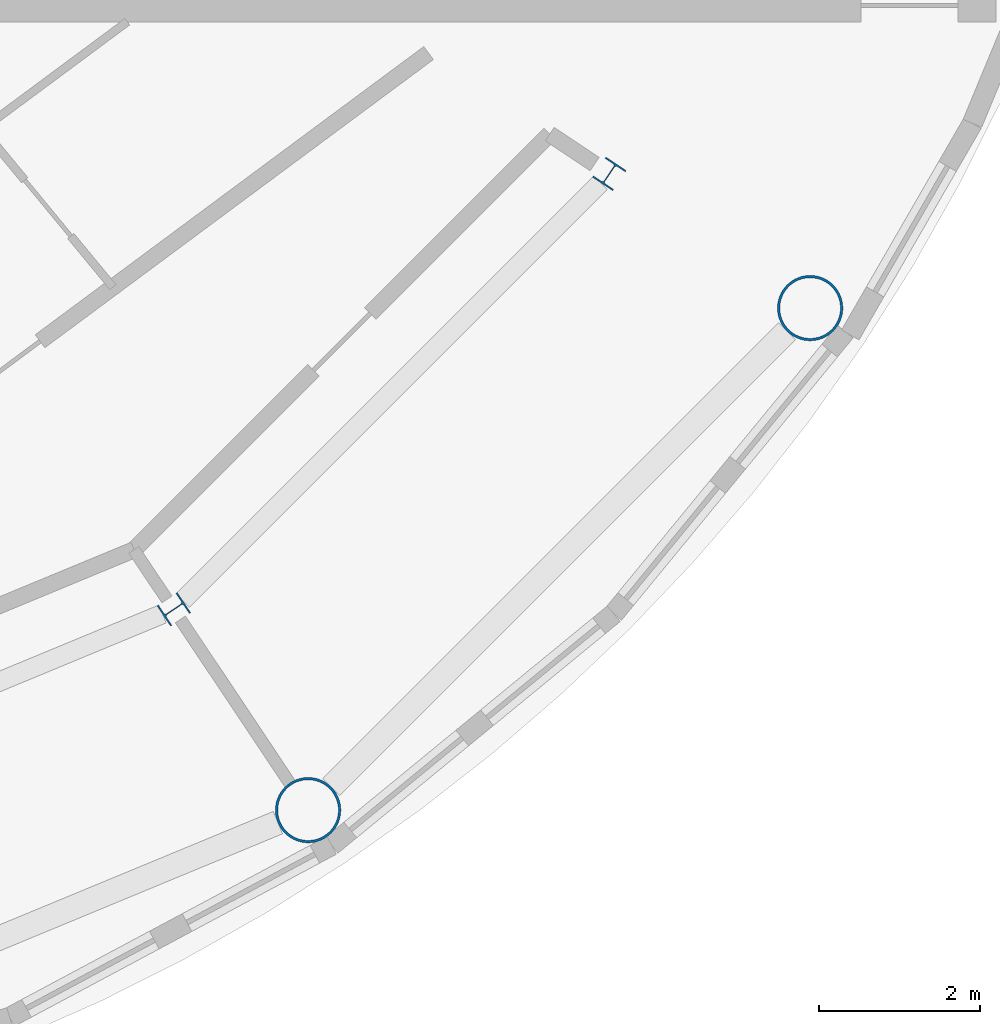
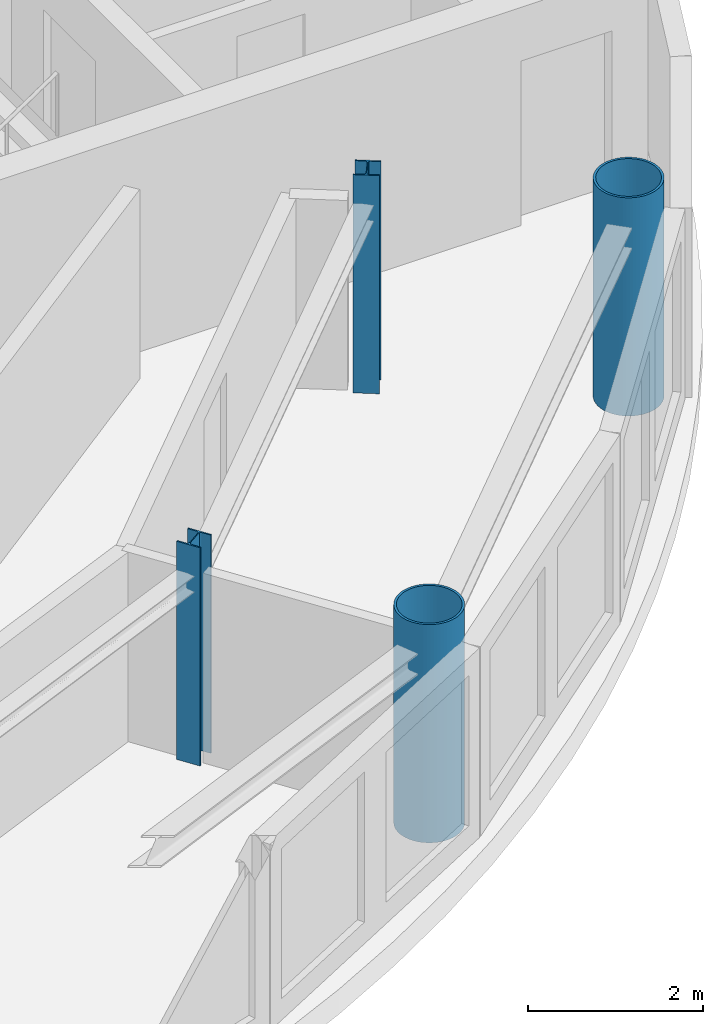
# One storey, part 3 of 17: 4 columns.
"""IFC4 building model written with IfcOpenShell, lengths in metres."""

from ifc_helpers import new_model, si_unit, direction, frame, origin, origin_2d, place, context, subcontext, project, spatial, hollow_circle, i_section, extrude, material, material_profile, profile_set, type_object, element, save


model = new_model("IFC4")

# Units and contexts
model_context = context("Model", 3, precision=1e-05, world=origin(), true_north=direction((0.0, 1.0)))
body_context = subcontext(model_context, "Body", "Model", "MODEL_VIEW")
ifc_project = project(units=[si_unit("LENGTHUNIT", "METRE"), si_unit("AREAUNIT", "SQUARE_METRE"), si_unit("VOLUMEUNIT", "CUBIC_METRE"), si_unit("PLANEANGLEUNIT", "RADIAN"), si_unit("MASSUNIT", "GRAM", prefix="KILO")], contexts=[model_context])

# Site, building, storey
site_placement = place(None, origin())
site = spatial("IfcSite", under=ifc_project, at=site_placement, CompositionType="ELEMENT")
building_placement = place(site_placement, origin())
building = spatial("IfcBuilding", under=site, at=building_placement, Name="Maasbend Ring Residences", CompositionType="ELEMENT")
storey_placement = place(building_placement, frame((0.0, 0.0, 252.35009765625)))
storey = spatial("IfcBuildingStorey", under=building, at=storey_placement, Name="L73", CompositionType="ELEMENT", Elevation=252.35009765625)

# Columns
ifc_material_1 = material(Name="Composite concrete-filled steel tube S460NH / C80/95", Category="concrete")
ifc_material_profile_1 = material_profile(ifc_material_1, hollow_circle(Radius=0.406494140625, WallThickness=0.030029296875, at=origin_2d()), Name="Composite tube column CHS 813x30")
ifc_profile_set_1 = profile_set([ifc_material_profile_1], Name="Composite concrete-filled steel tube S460NH / C80/95")
column_type_1 = type_object("IfcColumnType", Name="Composite tube column CHS 813x30", PredefinedType="COLUMN", material=ifc_profile_set_1)
for number, where, z_axis, x_axis, name in (
    (1, (12.555908203125, -18.791259765625, 0.0), (0.0, 0.0, 1.0), (1.0, 0.0, 0.0), "Outer column R14"),
    (2, (18.791259765625, -12.555908203125, 0.0), (0.0, 0.0, 1.0), (1.0, 0.0, 0.0), "Outer column R15"),
):
    element("IfcColumn", number, at=place(storey_placement, frame(where, z_axis=z_axis, x_axis=x_axis)), inside=storey, type_object=column_type_1, Name=name, PredefinedType="COLUMN", context=body_context, shape_type="SweptSolid", body=[
        extrude(hollow_circle(Radius=0.406494140625, WallThickness=0.030029296875, at=origin_2d()), origin(), (0.0, 0.0, 1.0), 3.0498046875),
    ])
ifc_material_2 = material(Name="Steel S355J2", Category="steel")
ifc_material_profile_2 = material_profile(ifc_material_2, i_section(OverallWidth=0.300048828125, OverallDepth=0.300048828125, WebThickness=0.010986328125, FlangeThickness=0.01904296875, FilletRadius=0.027099609375, at=origin_2d()), Name="HEB 300")
ifc_profile_set_2 = profile_set([ifc_material_profile_2], Name="Steel S355J2")
column_type_2 = type_object("IfcColumnType", Name="Steel column HEB 300", PredefinedType="COLUMN", material=ifc_profile_set_2)
for number, where, z_axis, x_axis, name in (
    (3, (10.88916015625, -16.296875, 0.0), (0.0, 0.0, 1.0), (0.55557023302, -0.831469612303, 0.0), "Corridor ring column R14"),
    (4, (16.296875, -10.88916015625, 0.0), (0.0, 0.0, 1.0), (0.831469612303, -0.55557023302, 0.0), "Corridor ring column R15"),
):
    element("IfcColumn", number, at=place(storey_placement, frame(where, z_axis=z_axis, x_axis=x_axis)), inside=storey, type_object=column_type_2, Name=name, PredefinedType="COLUMN", context=body_context, shape_type="SweptSolid", body=[
        extrude(i_section(OverallWidth=0.300048828125, OverallDepth=0.300048828125, WebThickness=0.010986328125, FlangeThickness=0.01904296875, FilletRadius=0.027099609375, at=origin_2d()), origin(), (0.0, 0.0, 1.0), 3.0498046875),
    ])

save(model, "model.ifc")
